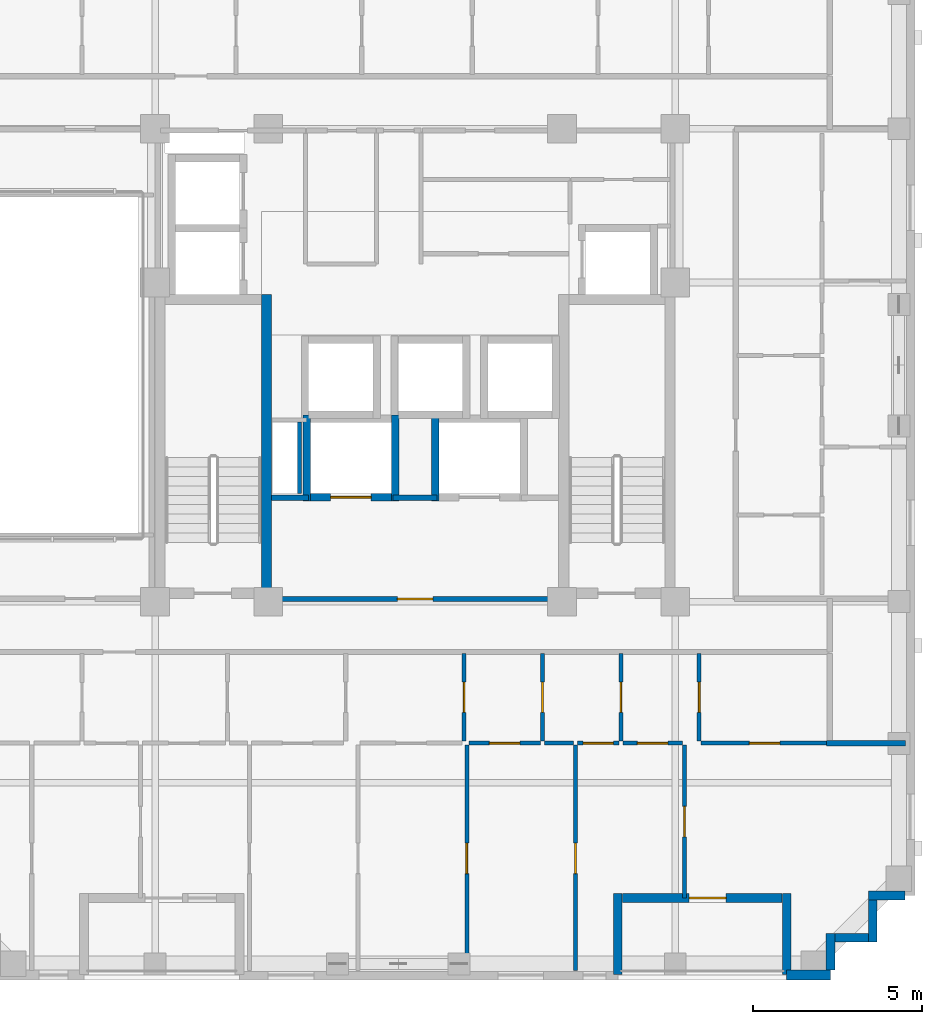
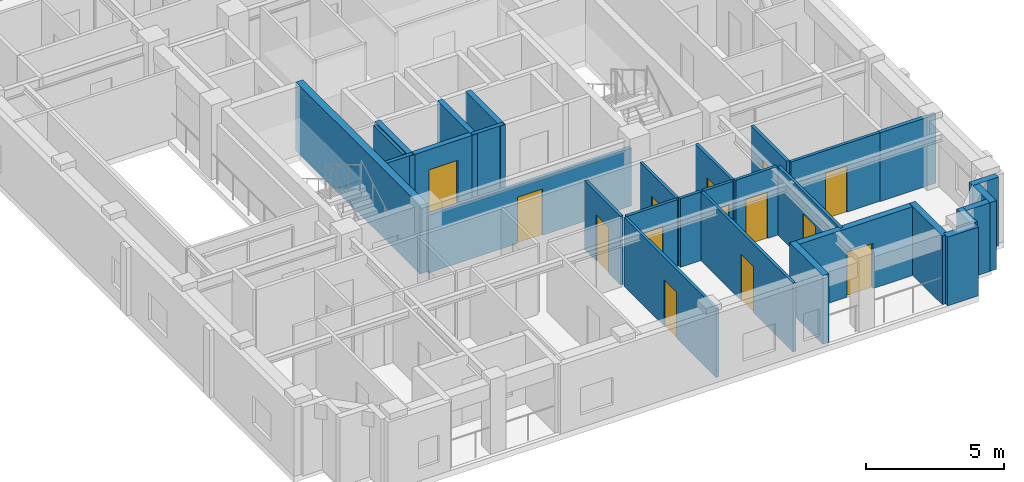
# One storey, part 5 of 13: 30 walls, 14 doors, 14 openings.
"""IFC4 building model written with IfcOpenShell, lengths in metres."""

from ifc_helpers import new_model, si_unit, derived_unit, direction, frame, frame_2d, origin, place, context, subcontext, project, spatial, rectangle, extrude, material, layer, layer_set, type_object, element, fill, save


model = new_model("IFC4")

# Units and contexts
model_context = context("Model", 3, precision=1e-05, world=origin(), true_north=direction((0.0, 1.0)))
body_context = subcontext(model_context, "Body", "Model", "MODEL_VIEW")
ifc_project = project(units=[si_unit("LENGTHUNIT", "METRE"), si_unit("AREAUNIT", "SQUARE_METRE"), si_unit("VOLUMEUNIT", "CUBIC_METRE"), si_unit("PLANEANGLEUNIT", "RADIAN"), si_unit("MASSUNIT", "GRAM", prefix="KILO"), derived_unit("THERMALTRANSMITTANCEUNIT", [(si_unit("MASSUNIT", "GRAM", prefix="KILO"), 1), (si_unit("TIMEUNIT", "SECOND"), -3), (si_unit("THERMODYNAMICTEMPERATUREUNIT", "KELVIN"), -1)])], contexts=[model_context])

# Site, building, storey
site_placement = place(None, origin())
site = spatial("IfcSite", under=ifc_project, at=site_placement, CompositionType="ELEMENT")
building_placement = place(site_placement, origin())
building = spatial("IfcBuilding", under=site, at=building_placement, Name="Korrvale Station Residences", CompositionType="ELEMENT")
storey_placement = place(building_placement, frame((0.0, 0.0, 177.699951171875)))
storey = spatial("IfcBuildingStorey", under=building, at=storey_placement, Name="L51", CompositionType="ELEMENT", Elevation=177.699951171875)

# Walls
ifc_material_1 = material(Name="Concrete C50/60", Category="concrete")
ifc_layer_1 = layer(ifc_material_1, 0.300048828125, Name="Concrete C50/60")
ifc_layer_set_1 = layer_set([ifc_layer_1], Name="Concrete C50/60")
wall_type_1 = type_object("IfcWallType", Name="WAL-CORE-300-C50", PredefinedType="SHEAR", material=ifc_layer_set_1)
wall_1_placement = place(storey_placement, frame((21.10009765625, 15.10009765625, 0.0), z_axis=(0.0, 0.0, 1.0), x_axis=(0.0, 1.0, 0.0)))
element("IfcWall", 1, at=wall_1_placement, inside=storey, type_object=wall_type_1, Name="L51 ST-1 Core Shear Wall East", PredefinedType="SHEAR", context=body_context, shape_type="SweptSolid", body=[
    extrude(rectangle(XDim=9.0, YDim=0.300048828125, at=frame_2d((4.5, 0.0))), origin(), (0.0, 0.0, 1.0), 3.0400390625),
])
ifc_material_2 = material(Name="Precast concrete C45/55", Category="concrete")
ifc_layer_2 = layer(ifc_material_2, 0.260009765625, Name="Precast concrete C45/55")
ifc_layer_set_2 = layer_set([ifc_layer_2], Name="Precast concrete C45/55")
wall_type_2 = type_object("IfcWallType", Name="WAL-EXT-LOG260", PredefinedType="SOLIDWALL", material=ifc_layer_set_2)
wall_2_placement = place(storey_placement, frame((36.5, 3.9599609375, 0.0), z_axis=(0.0, 0.0, 1.0), x_axis=(0.0, 1.0, 0.0)))
element("IfcWall", 2, at=wall_2_placement, inside=storey, type_object=wall_type_2, Name="L51 Recessed Loggia Wall BAL-L51-S2-L", PredefinedType="SOLIDWALL", context=body_context, shape_type="SweptSolid", body=[
    extrude(rectangle(XDim=2.400146484375, YDim=0.260009765625, at=frame_2d((1.2001953125, 0.0))), origin(), (0.0, 0.0, 1.0), 3.0400390625),
])

# Wall, opening, door
wall_3_placement = place(storey_placement, frame((36.365966796875, 6.22998046875, 0.0), z_axis=(0.0, 0.0, 1.0), x_axis=(-1.0, 0.0, 0.0)))
wall_3 = element("IfcWall", 3, at=wall_3_placement, inside=storey, type_object=wall_type_2, Name="L51 Recessed Loggia Wall BAL-L51-S2-B", PredefinedType="SOLIDWALL", context=body_context, shape_type="SweptSolid", body=[
    extrude(rectangle(XDim=4.73193359375, YDim=0.260009765625, at=frame_2d((2.365966796875, 0.0))), origin(), (0.0, 0.0, 1.0), 3.0400390625),
])
opening_1_placement = place(wall_3_placement, frame((1.656005859375, 0.0, 0.0)))
opening_1 = element("IfcOpeningElement", 4, at=opening_1_placement, cuts=wall_3, Name="Opening BD-01", PredefinedType="OPENING", context=body_context, shape_type="SweptSolid", body=[
    extrude(rectangle(XDim=1.10009765625, YDim=2.0, at=frame_2d((0.550048828125, 1.0))), frame((0.0, 0.14013671875, 0.0), z_axis=(0.0, -1.0, 0.0), x_axis=(1.0, 0.0, 0.0)), (0.0, 0.0, 1.0), 0.280029296875),
])
ifc_material_3 = material(Name="Exterior thermally broken aluminium glazed balcony door", Category="aluminium")
door_type_1 = type_object("IfcDoorType", Name="DR-EXT-BAL", OperationType="NOTDEFINED", PredefinedType="DOOR", material=ifc_material_3)
door_1_placement = place(opening_1_placement, origin())
door_1 = element("IfcDoor", 5, at=door_1_placement, inside=storey, type_object=door_type_1, Name="L51 Loggia Balcony Door BAL-L51-S2", OperationType="SINGLE_SWING_RIGHT", OverallHeight=2.0, OverallWidth=1.10009765625, PredefinedType="DOOR", context=body_context, shape_type="SweptSolid", body=[
    extrude(rectangle(XDim=1.10009765625, YDim=2.0, at=frame_2d((0.550048828125, 1.0))), frame((0.0, 0.02490234375, 0.0), z_axis=(0.0, -1.0, 0.0), x_axis=(1.0, 0.0, 0.0)), (0.0, 0.0, 1.0), 0.050048828125),
])
fill(opening_1, door_1)

# Walls
wall_4_placement = place(storey_placement, frame((31.5, 6.360107421875, 0.0), z_axis=(0.0, 0.0, 1.0), x_axis=(0.0, -1.0, 0.0)))
element("IfcWall", 6, at=wall_4_placement, inside=storey, type_object=wall_type_2, Name="L51 Recessed Loggia Wall BAL-L51-S2-R", PredefinedType="SOLIDWALL", context=body_context, shape_type="SweptSolid", body=[
    extrude(rectangle(XDim=2.400146484375, YDim=0.260009765625, at=frame_2d((1.2001953125, 0.0))), origin(), (0.0, 0.0, 1.0), 3.0400390625),
])
wall_5_placement = place(storey_placement, frame((39.998046875, 6.300048828125, 0.0), z_axis=(0.0, 0.0, 1.0), x_axis=(-1.0, 0.0, 0.0)))
element("IfcWall", 7, at=wall_5_placement, inside=storey, type_object=wall_type_2, Name="L51 Serrated Corner Precast Step SE-1", PredefinedType="SOLIDWALL", context=body_context, shape_type="SweptSolid", body=[
    extrude(rectangle(XDim=1.078125, YDim=0.260009765625, at=frame_2d((0.5390625, 0.0))), origin(), (0.0, 0.0, 1.0), 3.0400390625),
])
wall_6_placement = place(storey_placement, frame((39.050048828125, 6.16796875, 0.0), z_axis=(0.0, 0.0, 1.0), x_axis=(0.0, -1.0, 0.0)))
element("IfcWall", 8, at=wall_6_placement, inside=storey, type_object=wall_type_2, Name="L51 Serrated Corner Precast Step SE-2", PredefinedType="SOLIDWALL", context=body_context, shape_type="SweptSolid", body=[
    extrude(rectangle(XDim=1.248046875, YDim=0.260009765625, at=frame_2d((0.6240234375, 0.0))), origin(), (0.0, 0.0, 1.0), 3.0400390625),
])
wall_7_placement = place(storey_placement, frame((38.91796875, 5.050048828125, 0.0), z_axis=(0.0, 0.0, 1.0), x_axis=(-1.0, 0.0, 0.0)))
element("IfcWall", 9, at=wall_7_placement, inside=storey, type_object=wall_type_2, Name="L51 Serrated Corner Precast Step SE-3", PredefinedType="SOLIDWALL", context=body_context, shape_type="SweptSolid", body=[
    extrude(rectangle(XDim=0.986083984375, YDim=0.260009765625, at=frame_2d((0.4931640625, 0.0))), origin(), (0.0, 0.0, 1.0), 3.0400390625),
])
wall_8_placement = place(storey_placement, frame((37.800048828125, 5.179931640625, 0.0), z_axis=(0.0, 0.0, 1.0), x_axis=(0.0, -1.0, 0.0)))
element("IfcWall", 10, at=wall_8_placement, inside=storey, type_object=wall_type_2, Name="L51 Serrated Corner Precast Step SE-4", PredefinedType="SOLIDWALL", context=body_context, shape_type="SweptSolid", body=[
    extrude(rectangle(XDim=1.077880859375, YDim=0.260009765625, at=frame_2d((0.5390625, 0.0))), origin(), (0.0, 0.0, 1.0), 3.0400390625),
])
ifc_layer_3 = layer(ifc_material_2, 0.300048828125, Name="Precast concrete C45/55")
ifc_layer_set_3 = layer_set([ifc_layer_3], Name="Precast concrete C45/55")
wall_type_3 = type_object("IfcWallType", Name="WAL-EXT-PC300", PredefinedType="SOLIDWALL", material=ifc_layer_set_3)
wall_9_placement = place(storey_placement, frame((37.800048828125, 3.949951171875, 0.0), z_axis=(0.0, 0.0, 1.0), x_axis=(-1.0, 0.0, 0.0)))
element("IfcWall", 11, at=wall_9_placement, inside=storey, type_object=wall_type_3, Name="L51 South Exterior Precast Wall 1", PredefinedType="SOLIDWALL", context=body_context, shape_type="SweptSolid", body=[
    extrude(rectangle(XDim=1.300048828125, YDim=0.300048828125, at=frame_2d((0.64990234375, 0.0))), origin(), (0.0, 0.0, 1.0), 3.0400390625),
])
ifc_material_4 = material(Name="Acoustic steel-stud gypsum board partition", Category="steel")
ifc_layer_4 = layer(ifc_material_4, 0.1201171875, Name="Acoustic steel-stud gypsum board partition")
ifc_layer_set_4 = layer_set([ifc_layer_4], Name="Acoustic steel-stud gypsum board partition")
wall_type_4 = type_object("IfcWallType", Name="WAL-PART-125", PredefinedType="PARTITIONING", material=ifc_layer_set_4)
wall_10_placement = place(storey_placement, frame((22.080078125, 18.199951171875, 0.0), z_axis=(0.0, 0.0, 1.0), x_axis=(0.0, 1.0, 0.0)))
element("IfcWall", 12, at=wall_10_placement, inside=storey, type_object=wall_type_4, Name="L51 Core Partition CW-RSWT", PredefinedType="PARTITIONING", context=body_context, shape_type="SweptSolid", body=[
    extrude(rectangle(XDim=2.1201171875, YDim=0.1201171875, at=frame_2d((1.06005859375, 0.0))), origin(), (0.0, 0.0, 1.0), 3.0400390625),
])

# Wall, opening, door
wall_11_placement = place(storey_placement, frame((26.949951171875, 10.8701171875, 0.0), z_axis=(0.0, 0.0, 1.0), x_axis=(0.0, 1.0, 0.0)))
wall_11 = element("IfcWall", 13, at=wall_11_placement, inside=storey, type_object=wall_type_4, Name="L51 Suite Partition U01-V34", PredefinedType="PARTITIONING", context=body_context, shape_type="SweptSolid", body=[
    extrude(rectangle(XDim=2.599853515625, YDim=0.1201171875, at=frame_2d((1.2998046875, 0.0))), origin(), (0.0, 0.0, 1.0), 3.0400390625),
])
opening_2_placement = place(wall_11_placement, frame((0.85009765625, 0.0, 0.0)))
opening_2 = element("IfcOpeningElement", 14, at=opening_2_placement, cuts=wall_11, Name="Opening DI-900", PredefinedType="OPENING", context=body_context, shape_type="SweptSolid", body=[
    extrude(rectangle(XDim=0.89990234375, YDim=2.050048828125, at=frame_2d((0.449951171875, 1.02490234375))), frame((0.0, 0.070068359375, 0.0), z_axis=(0.0, -1.0, 0.0), x_axis=(1.0, 0.0, 0.0)), (0.0, 0.0, 1.0), 0.14013671875),
])
ifc_material_5 = material(Name="Painted solid-core timber interior room door", Category="wood")
door_type_2 = type_object("IfcDoorType", Name="DR-INT-900", OperationType="NOTDEFINED", PredefinedType="DOOR", material=ifc_material_5)
door_2_placement = place(opening_2_placement, origin())
door_2 = element("IfcDoor", 15, at=door_2_placement, inside=storey, type_object=door_type_2, Name="L51 Studio Apartment L51-U01 Home Study Room Door", OperationType="SINGLE_SWING_LEFT", OverallHeight=2.050048828125, OverallWidth=0.89990234375, PredefinedType="DOOR", context=body_context, shape_type="SweptSolid", body=[
    extrude(rectangle(XDim=0.89990234375, YDim=2.050048828125, at=frame_2d((0.449951171875, 1.02490234375))), frame((0.0, 0.02490234375, 0.0), z_axis=(0.0, -1.0, 0.0), x_axis=(1.0, 0.0, 0.0)), (0.0, 0.0, 1.0), 0.050048828125),
])
fill(opening_2, door_2)

wall_12_placement = place(storey_placement, frame((29.27001953125, 10.8701171875, 0.0), z_axis=(0.0, 0.0, 1.0), x_axis=(0.0, 1.0, 0.0)))
wall_12 = element("IfcWall", 16, at=wall_12_placement, inside=storey, type_object=wall_type_4, Name="L51 Suite Partition U01-V45", PredefinedType="PARTITIONING", context=body_context, shape_type="SweptSolid", body=[
    extrude(rectangle(XDim=2.599853515625, YDim=0.1201171875, at=frame_2d((1.2998046875, 0.0))), origin(), (0.0, 0.0, 1.0), 3.0400390625),
])
opening_3_placement = place(wall_12_placement, frame((0.85009765625, 0.0, 0.0)))
opening_3 = element("IfcOpeningElement", 17, at=opening_3_placement, cuts=wall_12, Name="Opening DI-900", PredefinedType="OPENING", context=body_context, shape_type="SweptSolid", body=[
    extrude(rectangle(XDim=0.89990234375, YDim=2.050048828125, at=frame_2d((0.449951171875, 1.02490234375))), frame((0.0, 0.070068359375, 0.0), z_axis=(0.0, -1.0, 0.0), x_axis=(1.0, 0.0, 0.0)), (0.0, 0.0, 1.0), 0.14013671875),
])
door_3_placement = place(opening_3_placement, origin())
door_3 = element("IfcDoor", 18, at=door_3_placement, inside=storey, type_object=door_type_2, Name="L51 Studio Apartment L51-U01 Wardrobe Storage Room Door", OperationType="SINGLE_SWING_LEFT", OverallHeight=2.050048828125, OverallWidth=0.89990234375, PredefinedType="DOOR", context=body_context, shape_type="SweptSolid", body=[
    extrude(rectangle(XDim=0.89990234375, YDim=2.050048828125, at=frame_2d((0.449951171875, 1.02490234375))), frame((0.0, 0.02490234375, 0.0), z_axis=(0.0, -1.0, 0.0), x_axis=(1.0, 0.0, 0.0)), (0.0, 0.0, 1.0), 0.050048828125),
])
fill(opening_3, door_3)

wall_13_placement = place(storey_placement, frame((27.090087890625, 10.81005859375, 0.0), z_axis=(0.0, 0.0, 1.0), x_axis=(1.0, 0.0, 0.0)))
wall_13 = element("IfcWall", 19, at=wall_13_placement, inside=storey, type_object=wall_type_4, Name="L51 Suite Partition U01-H413", PredefinedType="PARTITIONING", context=body_context, shape_type="SweptSolid", body=[
    extrude(rectangle(XDim=2.119873046875, YDim=0.1201171875, at=frame_2d((1.06005859375, 0.0))), origin(), (0.0, 0.0, 1.0), 3.0400390625),
])
opening_4_placement = place(wall_13_placement, frame((0.610107421875, 0.0, 0.0)))
opening_4 = element("IfcOpeningElement", 20, at=opening_4_placement, cuts=wall_13, Name="Opening DI-900", PredefinedType="OPENING", context=body_context, shape_type="SweptSolid", body=[
    extrude(rectangle(XDim=0.89990234375, YDim=2.050048828125, at=frame_2d((0.449951171875, 1.02490234375))), frame((0.0, 0.070068359375, 0.0), z_axis=(0.0, -1.0, 0.0), x_axis=(1.0, 0.0, 0.0)), (0.0, 0.0, 1.0), 0.14013671875),
])
door_4_placement = place(opening_4_placement, origin())
door_4 = element("IfcDoor", 21, at=door_4_placement, inside=storey, type_object=door_type_2, Name="L51 Studio Apartment L51-U01 Wardrobe Storage Room Door", OperationType="SINGLE_SWING_RIGHT", OverallHeight=2.050048828125, OverallWidth=0.89990234375, PredefinedType="DOOR", context=body_context, shape_type="SweptSolid", body=[
    extrude(rectangle(XDim=0.89990234375, YDim=2.050048828125, at=frame_2d((0.449951171875, 1.02490234375))), frame((0.0, 0.02490234375, 0.0), z_axis=(0.0, -1.0, 0.0), x_axis=(1.0, 0.0, 0.0)), (0.0, 0.0, 1.0), 0.050048828125),
])
fill(opening_4, door_4)

wall_14_placement = place(storey_placement, frame((31.590087890625, 10.8701171875, 0.0), z_axis=(0.0, 0.0, 1.0), x_axis=(0.0, 1.0, 0.0)))
wall_14 = element("IfcWall", 22, at=wall_14_placement, inside=storey, type_object=wall_type_4, Name="L51 Suite Partition U01-V56", PredefinedType="PARTITIONING", context=body_context, shape_type="SweptSolid", body=[
    extrude(rectangle(XDim=2.599853515625, YDim=0.1201171875, at=frame_2d((1.2998046875, 0.0))), origin(), (0.0, 0.0, 1.0), 3.0400390625),
])
opening_5_placement = place(wall_14_placement, frame((0.85009765625, 0.0, 0.0)))
opening_5 = element("IfcOpeningElement", 23, at=opening_5_placement, cuts=wall_14, Name="Opening DI-900", PredefinedType="OPENING", context=body_context, shape_type="SweptSolid", body=[
    extrude(rectangle(XDim=0.89990234375, YDim=2.050048828125, at=frame_2d((0.449951171875, 1.02490234375))), frame((0.0, 0.070068359375, 0.0), z_axis=(0.0, -1.0, 0.0), x_axis=(1.0, 0.0, 0.0)), (0.0, 0.0, 1.0), 0.14013671875),
])
door_5_placement = place(opening_5_placement, origin())
door_5 = element("IfcDoor", 24, at=door_5_placement, inside=storey, type_object=door_type_2, Name="L51 Studio Apartment L51-U01 Wardrobe Storage Room Door", OperationType="SINGLE_SWING_LEFT", OverallHeight=2.050048828125, OverallWidth=0.89990234375, PredefinedType="DOOR", context=body_context, shape_type="SweptSolid", body=[
    extrude(rectangle(XDim=0.89990234375, YDim=2.050048828125, at=frame_2d((0.449951171875, 1.02490234375))), frame((0.0, 0.02490234375, 0.0), z_axis=(0.0, -1.0, 0.0), x_axis=(1.0, 0.0, 0.0)), (0.0, 0.0, 1.0), 0.050048828125),
])
fill(opening_5, door_5)

# Wall
wall_15_placement = place(storey_placement, frame((29.330078125, 10.81005859375, 0.0), z_axis=(0.0, 0.0, 1.0), x_axis=(1.0, 0.0, 0.0)))
element("IfcWall", 25, at=wall_15_placement, inside=storey, type_object=wall_type_4, Name="L51 Suite Partition U01-H513", PredefinedType="PARTITIONING", context=body_context, shape_type="SweptSolid", body=[
    extrude(rectangle(XDim=0.85986328125, YDim=0.1201171875, at=frame_2d((0.429931640625, 0.0))), origin(), (0.0, 0.0, 1.0), 3.0400390625),
])

# Wall, opening, door
wall_16_placement = place(storey_placement, frame((30.31005859375, 10.81005859375, 0.0), z_axis=(0.0, 0.0, 1.0), x_axis=(1.0, 0.0, 0.0)))
wall_16 = element("IfcWall", 26, at=wall_16_placement, inside=storey, type_object=wall_type_4, Name="L51 Suite Partition U01-H514", PredefinedType="PARTITIONING", context=body_context, shape_type="SweptSolid", body=[
    extrude(rectangle(XDim=1.219970703125, YDim=0.1201171875, at=frame_2d((0.60986328125, 0.0))), origin(), (0.0, 0.0, 1.0), 3.0400390625),
])
opening_6_placement = place(wall_16_placement, frame((0.159912109375, 0.0, 0.0)))
opening_6 = element("IfcOpeningElement", 27, at=opening_6_placement, cuts=wall_16, Name="Opening DI-900", PredefinedType="OPENING", context=body_context, shape_type="SweptSolid", body=[
    extrude(rectangle(XDim=0.89990234375, YDim=2.050048828125, at=frame_2d((0.449951171875, 1.02490234375))), frame((0.0, 0.070068359375, 0.0), z_axis=(0.0, -1.0, 0.0), x_axis=(1.0, 0.0, 0.0)), (0.0, 0.0, 1.0), 0.14013671875),
])
door_6_placement = place(opening_6_placement, origin())
door_6 = element("IfcDoor", 28, at=door_6_placement, inside=storey, type_object=door_type_2, Name="L51 Studio Apartment L51-U01 Wardrobe Storage Room Door", OperationType="SINGLE_SWING_RIGHT", OverallHeight=2.050048828125, OverallWidth=0.89990234375, PredefinedType="DOOR", context=body_context, shape_type="SweptSolid", body=[
    extrude(rectangle(XDim=0.89990234375, YDim=2.050048828125, at=frame_2d((0.449951171875, 1.02490234375))), frame((0.0, 0.02490234375, 0.0), z_axis=(0.0, -1.0, 0.0), x_axis=(1.0, 0.0, 0.0)), (0.0, 0.0, 1.0), 0.050048828125),
])
fill(opening_6, door_6)

wall_17_placement = place(storey_placement, frame((33.909912109375, 10.8701171875, 0.0), z_axis=(0.0, 0.0, 1.0), x_axis=(0.0, 1.0, 0.0)))
wall_17 = element("IfcWall", 29, at=wall_17_placement, inside=storey, type_object=wall_type_4, Name="L51 Suite Partition U01-V67", PredefinedType="PARTITIONING", context=body_context, shape_type="SweptSolid", body=[
    extrude(rectangle(XDim=2.599853515625, YDim=0.1201171875, at=frame_2d((1.2998046875, 0.0))), origin(), (0.0, 0.0, 1.0), 3.0400390625),
])
opening_7_placement = place(wall_17_placement, frame((0.85009765625, 0.0, 0.0)))
opening_7 = element("IfcOpeningElement", 30, at=opening_7_placement, cuts=wall_17, Name="Opening DI-900", PredefinedType="OPENING", context=body_context, shape_type="SweptSolid", body=[
    extrude(rectangle(XDim=0.89990234375, YDim=2.050048828125, at=frame_2d((0.449951171875, 1.02490234375))), frame((0.0, 0.070068359375, 0.0), z_axis=(0.0, -1.0, 0.0), x_axis=(1.0, 0.0, 0.0)), (0.0, 0.0, 1.0), 0.14013671875),
])
door_7_placement = place(opening_7_placement, origin())
door_7 = element("IfcDoor", 31, at=door_7_placement, inside=storey, type_object=door_type_2, Name="L51 Studio Apartment L51-U01 Wardrobe Storage Room Door", OperationType="SINGLE_SWING_LEFT", OverallHeight=2.050048828125, OverallWidth=0.89990234375, PredefinedType="DOOR", context=body_context, shape_type="SweptSolid", body=[
    extrude(rectangle(XDim=0.89990234375, YDim=2.050048828125, at=frame_2d((0.449951171875, 1.02490234375))), frame((0.0, 0.02490234375, 0.0), z_axis=(0.0, -1.0, 0.0), x_axis=(1.0, 0.0, 0.0)), (0.0, 0.0, 1.0), 0.050048828125),
])
fill(opening_7, door_7)

wall_18_placement = place(storey_placement, frame((31.64990234375, 10.81005859375, 0.0), z_axis=(0.0, 0.0, 1.0), x_axis=(1.0, 0.0, 0.0)))
wall_18 = element("IfcWall", 32, at=wall_18_placement, inside=storey, type_object=wall_type_4, Name="L51 Suite Partition U01-H614", PredefinedType="PARTITIONING", context=body_context, shape_type="SweptSolid", body=[
    extrude(rectangle(XDim=1.760009765625, YDim=0.1201171875, at=frame_2d((0.8798828125, 0.0))), origin(), (0.0, 0.0, 1.0), 3.0400390625),
])
opening_8_placement = place(wall_18_placement, frame((0.429931640625, 0.0, 0.0)))
opening_8 = element("IfcOpeningElement", 33, at=opening_8_placement, cuts=wall_18, Name="Opening DI-900", PredefinedType="OPENING", context=body_context, shape_type="SweptSolid", body=[
    extrude(rectangle(XDim=0.89990234375, YDim=2.050048828125, at=frame_2d((0.449951171875, 1.02490234375))), frame((0.0, 0.070068359375, 0.0), z_axis=(0.0, -1.0, 0.0), x_axis=(1.0, 0.0, 0.0)), (0.0, 0.0, 1.0), 0.14013671875),
])
door_8_placement = place(opening_8_placement, origin())
door_8 = element("IfcDoor", 34, at=door_8_placement, inside=storey, type_object=door_type_2, Name="L51 Studio Apartment L51-U01 Wardrobe Storage Room Door", OperationType="SINGLE_SWING_RIGHT", OverallHeight=2.050048828125, OverallWidth=0.89990234375, PredefinedType="DOOR", context=body_context, shape_type="SweptSolid", body=[
    extrude(rectangle(XDim=0.89990234375, YDim=2.050048828125, at=frame_2d((0.449951171875, 1.02490234375))), frame((0.0, 0.02490234375, 0.0), z_axis=(0.0, -1.0, 0.0), x_axis=(1.0, 0.0, 0.0)), (0.0, 0.0, 1.0), 0.050048828125),
])
fill(opening_8, door_8)

wall_19_placement = place(storey_placement, frame((33.969970703125, 10.81005859375, 0.0), z_axis=(0.0, 0.0, 1.0), x_axis=(1.0, 0.0, 0.0)))
wall_19 = element("IfcWall", 35, at=wall_19_placement, inside=storey, type_object=wall_type_4, Name="L51 Suite Partition U01-H715", PredefinedType="PARTITIONING", context=body_context, shape_type="SweptSolid", body=[
    extrude(rectangle(XDim=3.75, YDim=0.1201171875, at=frame_2d((1.875, 0.0))), origin(), (0.0, 0.0, 1.0), 3.0400390625),
])
opening_9_placement = place(wall_19_placement, frame((1.425048828125, 0.0, 0.0)))
opening_9 = element("IfcOpeningElement", 36, at=opening_9_placement, cuts=wall_19, Name="Opening DI-900", PredefinedType="OPENING", context=body_context, shape_type="SweptSolid", body=[
    extrude(rectangle(XDim=0.89990234375, YDim=2.050048828125, at=frame_2d((0.449951171875, 1.02490234375))), frame((0.0, 0.070068359375, 0.0), z_axis=(0.0, -1.0, 0.0), x_axis=(1.0, 0.0, 0.0)), (0.0, 0.0, 1.0), 0.14013671875),
])
door_9_placement = place(opening_9_placement, origin())
door_9 = element("IfcDoor", 37, at=door_9_placement, inside=storey, type_object=door_type_2, Name="L51 Studio Apartment L51-U01 Utility and Laundry Room Door", OperationType="SINGLE_SWING_LEFT", OverallHeight=2.050048828125, OverallWidth=0.89990234375, PredefinedType="DOOR", context=body_context, shape_type="SweptSolid", body=[
    extrude(rectangle(XDim=0.89990234375, YDim=2.050048828125, at=frame_2d((0.449951171875, 1.02490234375))), frame((0.0, 0.02490234375, 0.0), z_axis=(0.0, -1.0, 0.0), x_axis=(1.0, 0.0, 0.0)), (0.0, 0.0, 1.0), 0.050048828125),
])
fill(opening_9, door_9)

wall_20_placement = place(storey_placement, frame((27.030029296875, 4.080078125, 0.0), z_axis=(0.0, 0.0, 1.0), x_axis=(0.0, 1.0, 0.0)))
wall_20 = element("IfcWall", 38, at=wall_20_placement, inside=storey, type_object=wall_type_4, Name="L51 Suite Partition U01-V1213", PredefinedType="PARTITIONING", context=body_context, shape_type="SweptSolid", body=[
    extrude(rectangle(XDim=6.669921875, YDim=0.1201171875, at=frame_2d((3.3349609375, 0.0))), origin(), (0.0, 0.0, 1.0), 3.0400390625),
])
opening_10_placement = place(wall_20_placement, frame((2.8701171875, 0.0, 0.0)))
opening_10 = element("IfcOpeningElement", 39, at=opening_10_placement, cuts=wall_20, Name="Opening DI-900", PredefinedType="OPENING", context=body_context, shape_type="SweptSolid", body=[
    extrude(rectangle(XDim=0.89990234375, YDim=2.050048828125, at=frame_2d((0.449951171875, 1.02490234375))), frame((0.0, 0.070068359375, 0.0), z_axis=(0.0, -1.0, 0.0), x_axis=(1.0, 0.0, 0.0)), (0.0, 0.0, 1.0), 0.14013671875),
])
door_10_placement = place(opening_10_placement, origin())
door_10 = element("IfcDoor", 40, at=door_10_placement, inside=storey, type_object=door_type_2, Name="L51 Studio Apartment L51-U01 Walk-In Wardrobe Door", OperationType="SINGLE_SWING_RIGHT", OverallHeight=2.050048828125, OverallWidth=0.89990234375, PredefinedType="DOOR", context=body_context, shape_type="SweptSolid", body=[
    extrude(rectangle(XDim=0.89990234375, YDim=2.050048828125, at=frame_2d((0.449951171875, 1.02490234375))), frame((0.0, 0.02490234375, 0.0), z_axis=(0.0, -1.0, 0.0), x_axis=(1.0, 0.0, 0.0)), (0.0, 0.0, 1.0), 0.050048828125),
])
fill(opening_10, door_10)

wall_21_placement = place(storey_placement, frame((30.25, 4.080078125, 0.0), z_axis=(0.0, 0.0, 1.0), x_axis=(0.0, 1.0, 0.0)))
wall_21 = element("IfcWall", 41, at=wall_21_placement, inside=storey, type_object=wall_type_4, Name="L51 Suite Partition U01-V1314", PredefinedType="PARTITIONING", context=body_context, shape_type="SweptSolid", body=[
    extrude(rectangle(XDim=6.669921875, YDim=0.1201171875, at=frame_2d((3.3349609375, 0.0))), origin(), (0.0, 0.0, 1.0), 3.0400390625),
])
opening_11_placement = place(wall_21_placement, frame((2.8701171875, 0.0, 0.0)))
opening_11 = element("IfcOpeningElement", 42, at=opening_11_placement, cuts=wall_21, Name="Opening DI-900", PredefinedType="OPENING", context=body_context, shape_type="SweptSolid", body=[
    extrude(rectangle(XDim=0.89990234375, YDim=2.050048828125, at=frame_2d((0.449951171875, 1.02490234375))), frame((0.0, 0.070068359375, 0.0), z_axis=(0.0, -1.0, 0.0), x_axis=(1.0, 0.0, 0.0)), (0.0, 0.0, 1.0), 0.14013671875),
])
door_11_placement = place(opening_11_placement, origin())
door_11 = element("IfcDoor", 43, at=door_11_placement, inside=storey, type_object=door_type_2, Name="L51 Studio Apartment L51-U01 Formal Dining Room Door", OperationType="SINGLE_SWING_LEFT", OverallHeight=2.050048828125, OverallWidth=0.89990234375, PredefinedType="DOOR", context=body_context, shape_type="SweptSolid", body=[
    extrude(rectangle(XDim=0.89990234375, YDim=2.050048828125, at=frame_2d((0.449951171875, 1.02490234375))), frame((0.0, 0.02490234375, 0.0), z_axis=(0.0, -1.0, 0.0), x_axis=(1.0, 0.0, 0.0)), (0.0, 0.0, 1.0), 0.050048828125),
])
fill(opening_11, door_11)

wall_22_placement = place(storey_placement, frame((33.469970703125, 6.22998046875, 0.0), z_axis=(0.0, 0.0, 1.0), x_axis=(0.0, 1.0, 0.0)))
wall_22 = element("IfcWall", 44, at=wall_22_placement, inside=storey, type_object=wall_type_4, Name="L51 Suite Partition U01-V1415", PredefinedType="PARTITIONING", context=body_context, shape_type="SweptSolid", body=[
    extrude(rectangle(XDim=4.52001953125, YDim=0.1201171875, at=frame_2d((2.260009765625, 0.0))), origin(), (0.0, 0.0, 1.0), 3.0400390625),
])
opening_12_placement = place(wall_22_placement, frame((1.81005859375, 0.0, 0.0)))
opening_12 = element("IfcOpeningElement", 45, at=opening_12_placement, cuts=wall_22, Name="Opening DI-900", PredefinedType="OPENING", context=body_context, shape_type="SweptSolid", body=[
    extrude(rectangle(XDim=0.89990234375, YDim=2.050048828125, at=frame_2d((0.449951171875, 1.02490234375))), frame((0.0, 0.070068359375, 0.0), z_axis=(0.0, -1.0, 0.0), x_axis=(1.0, 0.0, 0.0)), (0.0, 0.0, 1.0), 0.14013671875),
])
door_12_placement = place(opening_12_placement, origin())
door_12 = element("IfcDoor", 46, at=door_12_placement, inside=storey, type_object=door_type_2, Name="L51 Studio Apartment L51-U01 Formal Dining Room Door", OperationType="SINGLE_SWING_RIGHT", OverallHeight=2.050048828125, OverallWidth=0.89990234375, PredefinedType="DOOR", context=body_context, shape_type="SweptSolid", body=[
    extrude(rectangle(XDim=0.89990234375, YDim=2.050048828125, at=frame_2d((0.449951171875, 1.02490234375))), frame((0.0, 0.02490234375, 0.0), z_axis=(0.0, -1.0, 0.0), x_axis=(1.0, 0.0, 0.0)), (0.0, 0.0, 1.0), 0.050048828125),
])
fill(opening_12, door_12)

ifc_material_6 = material(Name="Fire-rated twin-stud gypsum and mineral wool shaftwall assembly", Category="gypsum")
ifc_layer_5 = layer(ifc_material_6, 0.159912109375, Name="Fire-rated twin-stud gypsum and mineral wool shaftwall assembly")
ifc_layer_set_5 = layer_set([ifc_layer_5], Name="Fire-rated twin-stud gypsum and mineral wool shaftwall assembly")
wall_type_5 = type_object("IfcWallType", Name="WAL-PART-200", PredefinedType="PARTITIONING", material=ifc_layer_set_5)
wall_23_placement = place(storey_placement, frame((21.25, 15.080078125, 0.0), z_axis=(0.0, 0.0, 1.0), x_axis=(1.0, 0.0, 0.0)))
wall_23 = element("IfcWall", 47, at=wall_23_placement, inside=storey, type_object=wall_type_5, Name="L51 Core Partition CW-FFL-S", PredefinedType="PARTITIONING", context=body_context, shape_type="SweptSolid", body=[
    extrude(rectangle(XDim=8.5, YDim=0.159912109375, at=frame_2d((4.25, 0.0))), origin(), (0.0, 0.0, 1.0), 2.55615234375),
])
opening_13_placement = place(wall_23_placement, frame((3.72509765625, 0.0, 0.0)))
opening_13 = element("IfcOpeningElement", 48, at=opening_13_placement, cuts=wall_23, Name="Opening FD-1050", PredefinedType="OPENING", context=body_context, shape_type="SweptSolid", body=[
    extrude(rectangle(XDim=1.050048828125, YDim=2.050048828125, at=frame_2d((0.52490234375, 1.02490234375))), frame((0.0, 0.08984375, 0.0), z_axis=(0.0, -1.0, 0.0), x_axis=(1.0, 0.0, 0.0)), (0.0, 0.0, 1.0), 0.179931640625),
])
ifc_material_7 = material(Name="Fire-rated mineral-core timber lobby door", Category="wood")
door_type_3 = type_object("IfcDoorType", Name="DR-CORE-1050", OperationType="NOTDEFINED", PredefinedType="DOOR", material=ifc_material_7)
door_13_placement = place(opening_13_placement, origin())
door_13 = element("IfcDoor", 49, at=door_13_placement, inside=storey, type_object=door_type_3, Name="L51 Firefighting Lobby Entry Door", OperationType="SINGLE_SWING_RIGHT", OverallHeight=2.050048828125, OverallWidth=1.050048828125, PredefinedType="DOOR", context=body_context, shape_type="SweptSolid", body=[
    extrude(rectangle(XDim=1.050048828125, YDim=2.050048828125, at=frame_2d((0.52490234375, 1.02490234375))), frame((0.0, 0.02490234375, 0.0), z_axis=(0.0, -1.0, 0.0), x_axis=(1.0, 0.0, 0.0)), (0.0, 0.0, 1.0), 0.050048828125),
])
fill(opening_13, door_13)

# Walls
wall_24_placement = place(storey_placement, frame((21.25, 18.080078125, 0.0), z_axis=(0.0, 0.0, 1.0), x_axis=(1.0, 0.0, 0.0)))
element("IfcWall", 50, at=wall_24_placement, inside=storey, type_object=wall_type_5, Name="L51 Core Partition CW-FFL-N1", PredefinedType="PARTITIONING", context=body_context, shape_type="SweptSolid", body=[
    extrude(rectangle(XDim=1.10009765625, YDim=0.159912109375, at=frame_2d((0.550048828125, 0.0))), origin(), (0.0, 0.0, 1.0), 3.0400390625),
])
wall_25_placement = place(storey_placement, frame((24.85009765625, 18.080078125, 0.0), z_axis=(0.0, 0.0, 1.0), x_axis=(1.0, 0.0, 0.0)))
element("IfcWall", 51, at=wall_25_placement, inside=storey, type_object=wall_type_5, Name="L51 Core Partition CW-FFL-N2", PredefinedType="PARTITIONING", context=body_context, shape_type="SweptSolid", body=[
    extrude(rectangle(XDim=1.2998046875, YDim=0.159912109375, at=frame_2d((0.64990234375, 0.0))), origin(), (0.0, 0.0, 1.0), 3.0400390625),
])
wall_26_placement = place(storey_placement, frame((37.679931640625, 10.81005859375, 0.0), z_axis=(0.0, 0.0, 1.0), x_axis=(1.0, 0.0, 0.0)))
element("IfcWall", 52, at=wall_26_placement, inside=storey, type_object=wall_type_5, Name="L51 Corner Step Wall U01-R", PredefinedType="PARTITIONING", context=body_context, shape_type="SweptSolid", body=[
    extrude(rectangle(XDim=2.340087890625, YDim=0.159912109375, at=frame_2d((1.169921875, 0.0))), origin(), (0.0, 0.0, 1.0), 3.0400390625),
])

# Wall, opening, door
ifc_layer_6 = layer(ifc_material_1, 0.219970703125, Name="Concrete C50/60")
ifc_layer_set_6 = layer_set([ifc_layer_6], Name="Concrete C50/60")
wall_type_6 = type_object("IfcWallType", Name="WAL-SHAFT-220-C50", PredefinedType="SHEAR", material=ifc_layer_set_6)
wall_27_placement = place(storey_placement, frame((22.39990234375, 18.090087890625, 0.0), z_axis=(0.0, 0.0, 1.0), x_axis=(1.0, 0.0, 0.0)))
wall_27 = element("IfcWall", 53, at=wall_27_placement, inside=storey, type_object=wall_type_6, Name="L51 Elevator FFL-1 Hoistway Wall South", PredefinedType="SHEAR", context=body_context, shape_type="SweptSolid", body=[
    extrude(rectangle(XDim=2.400146484375, YDim=0.219970703125, at=frame_2d((1.2001953125, 0.0))), origin(), (0.0, 0.0, 1.0), 3.0400390625),
])
opening_14_placement = place(wall_27_placement, frame((0.60009765625, 0.0, 0.0)))
opening_14 = element("IfcOpeningElement", 54, at=opening_14_placement, cuts=wall_27, Name="Opening LD-FF1200", PredefinedType="OPENING", context=body_context, shape_type="SweptSolid", body=[
    extrude(rectangle(XDim=1.199951171875, YDim=2.14990234375, at=frame_2d((0.60009765625, 1.074951171875))), frame((0.0, 0.1201171875, 0.0), z_axis=(0.0, -1.0, 0.0), x_axis=(1.0, 0.0, 0.0)), (0.0, 0.0, 1.0), 0.239990234375),
])
ifc_material_8 = material(Name="Stainless-steel firefighter elevator landing sliding door", Category="steel")
door_type_4 = type_object("IfcDoorType", Name="DR-LIFT-FF1200", OperationType="SLIDING_TO_LEFT", PredefinedType="DOOR", material=ifc_material_8)
door_14_placement = place(opening_14_placement, origin())
door_14 = element("IfcDoor", 55, at=door_14_placement, inside=storey, type_object=door_type_4, Name="L51 Elevator FFL-1 Sliding Landing Door", OperationType="SLIDING_TO_LEFT", OverallHeight=2.14990234375, OverallWidth=1.199951171875, PredefinedType="DOOR", context=body_context, shape_type="SweptSolid", body=[
    extrude(rectangle(XDim=1.199951171875, YDim=2.14990234375, at=frame_2d((0.60009765625, 1.074951171875))), frame((0.0, 0.02490234375, 0.0), z_axis=(0.0, -1.0, 0.0), x_axis=(1.0, 0.0, 0.0)), (0.0, 0.0, 1.0), 0.050048828125),
])
fill(opening_14, door_14)

# Walls
for number, where, z_axis, x_axis, name in (
    (56, (22.2900390625, 17.97998046875, 0.0), (0.0, 0.0, 1.0), (0.0, 1.0, 0.0), "L51 Elevator FFL-1 Hoistway Wall West"),
    (57, (24.909912109375, 17.97998046875, 0.0), (0.0, 0.0, 1.0), (0.0, 1.0, 0.0), "L51 Elevator FFL-1 Hoistway Wall East"),
    (58, (26.090087890625, 17.97998046875, 0.0), (0.0, 0.0, 1.0), (0.0, 1.0, 0.0), "L51 Elevator FFL-2 Hoistway Wall West"),
):
    element("IfcWall", number, at=place(storey_placement, frame(where, z_axis=z_axis, x_axis=x_axis)), inside=storey, type_object=wall_type_6, Name=name, PredefinedType="SHEAR", context=body_context, shape_type="SweptSolid", body=[
        extrude(rectangle(XDim=2.5400390625, YDim=0.219970703125, at=frame_2d((1.27001953125, 0.0))), origin(), (0.0, 0.0, 1.0), 3.0400390625),
    ])

save(model, "model.ifc")
